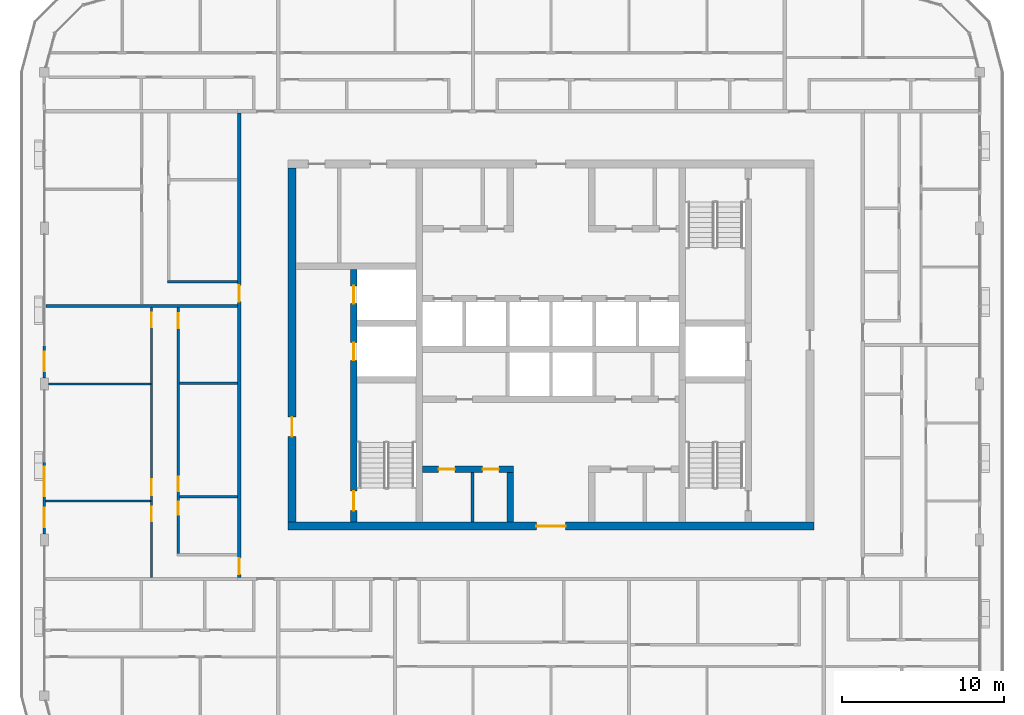
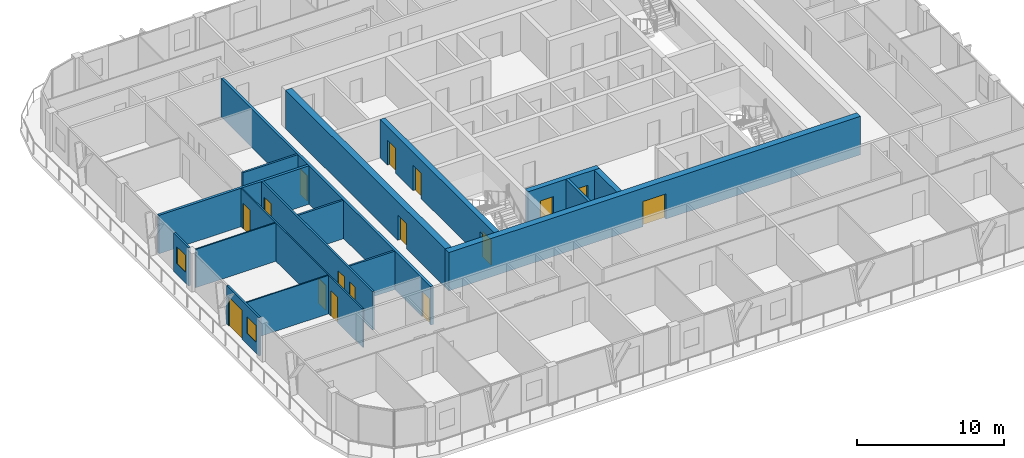
# One storey, part 10 of 22: 17 walls, 16 doors, 2 windows, 18 openings.
"""IFC4 building model written with IfcOpenShell, lengths in metres."""

import ifcopenshell
import ifcopenshell.guid

model = None  # the IFC model being written
_history = None  # IfcOwnerHistory: only IFC2X3 demands one
_inside = {}  # id of a spatial element -> (the spatial element, [elements in it])
_under = {}  # id of a project, library or spatial element -> (it, [spatial elements below it])
_declared = {}  # id of a project -> (the project, [libraries it declares])
_typed = {}  # id of a type object -> (the type object, [elements of that type])
_made_of = {}  # id of a material, layer set ... -> (it, [elements and type objects made of it])


def new_model(schema):
    """Start an empty IFC model of exactly this schema.

    Asked for "IFC4X3", IfcOpenShell would pick the latest addendum, in which some entities
    have other attributes; the version numbers below select the first issue.
    IFC2X3 requires an IfcOwnerHistory on every rooted entity: one is made here for all.
    """
    global model, _history
    if schema == "IFC4X3":
        model = ifcopenshell.file(schema_version=(4, 3, 0, 0))
    else:
        model = ifcopenshell.file(schema=schema)
    _inside.clear()
    _under.clear()
    _declared.clear()
    _typed.clear()
    _made_of.clear()
    _history = None
    if model.schema == "IFC2X3":
        org = make("IfcOrganization", Name="unknown")
        user = make(
            "IfcPersonAndOrganization",
            ThePerson=make("IfcPerson", FamilyName="unknown"),
            TheOrganization=org,
        )
        app = make(
            "IfcApplication",
            ApplicationDeveloper=org,
            Version="unknown",
            ApplicationFullName="unknown",
            ApplicationIdentifier="unknown",
        )
        _history = make(
            "IfcOwnerHistory",
            OwningUser=user,
            OwningApplication=app,
            ChangeAction="ADDED",
            CreationDate=0,
        )
    return model


def make(cls, **values):
    """One entity of the class cls with the attributes given. An attribute that is None is left unset."""
    return model.create_entity(
        cls, **{name: value for name, value in values.items() if value is not None}
    )


def rooted(cls, **values):
    """An entity with a GlobalId (a new one), such as an element, a storey or a relation."""
    return make(cls, GlobalId=ifcopenshell.guid.new(), OwnerHistory=_history, **values)


def si_unit(unit_type, name, prefix=None):
    """IfcSIUnit, for example si_unit("LENGTHUNIT", "METRE", prefix="MILLI")."""
    return make("IfcSIUnit", UnitType=unit_type, Prefix=prefix, Name=name)


def assignment(units):
    """IfcUnitAssignment: the units of a project."""
    return None if units is None else make("IfcUnitAssignment", Units=units)


def point(xyz):
    """IfcCartesianPoint."""
    return None if xyz is None else make("IfcCartesianPoint", Coordinates=xyz)


def direction(xyz):
    """IfcDirection."""
    return None if xyz is None else make("IfcDirection", DirectionRatios=xyz)


def frame(location, z_axis=None, x_axis=None):
    """IfcAxis2Placement3D, a coordinate frame: its origin and axes. An axis left out is left unset."""
    return make(
        "IfcAxis2Placement3D",
        Location=point(location),
        Axis=direction(z_axis),
        RefDirection=direction(x_axis),
    )


def frame_2d(location, x_axis=None):
    """IfcAxis2Placement2D, a coordinate frame in the plane: its origin and x axis."""
    return make(
        "IfcAxis2Placement2D", Location=point(location), RefDirection=direction(x_axis)
    )


def origin():
    """The frame at (0, 0, 0) with its axes left unset."""
    return frame((0.0, 0.0, 0.0))


def place(relative_to, where):
    """IfcLocalPlacement: puts the frame where relative to a parent placement (None: the world)."""
    return make(
        "IfcLocalPlacement", PlacementRelTo=relative_to, RelativePlacement=where
    )


def context(
    kind, dimensions, precision=None, world=None, true_north=None, identifier=None
):
    """IfcGeometricRepresentationContext, for example the 3D "Model" context."""
    return make(
        "IfcGeometricRepresentationContext",
        ContextIdentifier=identifier,
        ContextType=kind,
        CoordinateSpaceDimension=dimensions,
        Precision=precision,
        WorldCoordinateSystem=world,
        TrueNorth=true_north,
    )


def subcontext(parent, identifier, kind, view, scale=None):
    """IfcGeometricRepresentationSubContext, for example "Body" below "Model"."""
    return make(
        "IfcGeometricRepresentationSubContext",
        ContextIdentifier=identifier,
        ContextType=kind,
        ParentContext=parent,
        TargetScale=scale,
        TargetView=view,
    )


def project(units=None, contexts=None):
    """IfcProject with its units and contexts."""
    return rooted(
        "IfcProject",
        Name="project",
        RepresentationContexts=contexts,
        UnitsInContext=assignment(units),
    )


def spatial(cls, under=None, at=None, **own):
    """A site, building, storey or space (cls), placed at a placement, below another one or the project."""
    s = rooted(cls, ObjectPlacement=at, **own)
    if under is not None:
        _under.setdefault(under.id(), (under, []))[1].append(s)
    return s


def profile(cls, at=None, kind="AREA", **sizes):
    """A parametric profile (cls). Its sizes go by their IFC names, for example OverallWidth=200.0."""
    return make(cls, ProfileType=kind, Position=at, **sizes)


def rectangle(**sizes):
    """IfcRectangleProfileDef."""
    return profile("IfcRectangleProfileDef", **sizes)


def extrude(swept, where, along, depth):
    """IfcExtrudedAreaSolid: the profile swept, set in the frame where, extruded along a direction by depth."""
    return make(
        "IfcExtrudedAreaSolid",
        SweptArea=swept,
        Position=where,
        ExtrudedDirection=direction(along),
        Depth=depth,
    )


def shape(context_of_items, identifier, shape_type, items):
    """IfcShapeRepresentation: the items that make up one representation, for example the "Body"."""
    return make(
        "IfcShapeRepresentation",
        ContextOfItems=context_of_items,
        RepresentationIdentifier=identifier,
        RepresentationType=shape_type,
        Items=items,
    )


def material(Name=None, Category=None):
    """IfcMaterial."""
    return make("IfcMaterial", Name=Name, Category=Category)


def layer(
    of_material, thickness, ventilated=None, Name=None, Category=None, Priority=None
):
    """IfcMaterialLayer: one layer of a wall or slab, of a material (None: an air gap)."""
    return make(
        "IfcMaterialLayer",
        Material=of_material,
        LayerThickness=thickness,
        IsVentilated=ventilated,
        Name=Name,
        Category=Category,
        Priority=Priority,
    )


def layer_set(layers, Name=None):
    """IfcMaterialLayerSet."""
    return make("IfcMaterialLayerSet", MaterialLayers=layers, LayerSetName=Name)


def made_of(thing, what):
    """Note that an element or type object is made of a material, layer set ...; save() writes the relation."""
    if what is not None:
        _made_of.setdefault(what.id(), (what, []))[1].append(thing)
    return thing


def type_object(cls, material=None, **own):
    """A type object (cls), such as IfcWallType, which elements share."""
    return made_of(rooted(cls, **own), material)


def element(
    cls,
    number,
    at=None,
    inside=None,
    cuts=None,
    type_object=None,
    material=None,
    context=None,
    identifier="Body",
    shape_type=None,
    held_by="IfcProductDefinitionShape",
    body=None,
    shapes=None,
    **own,
):
    """One element of the class cls, such as IfcWall. Its Tag is "e" and its number.

    at: its placement. inside: the storey or other place that contains it. cuts: it is an
    opening in that element (IfcRelVoidsElement). A single representation is given by context,
    identifier, shape_type and body (its items); several are given by shapes. held_by: the class
    of the entity that holds the representations. save() writes the other relations.
    """
    e = rooted(cls, Tag="e%d" % number, ObjectPlacement=at, **own)
    if body is not None:
        shapes = [shape(context, identifier, shape_type, body)]
    if shapes is not None:
        e.Representation = make(held_by, Representations=shapes)
    if inside is not None:
        _inside.setdefault(inside.id(), (inside, []))[1].append(e)
    if cuts is not None:
        rooted(
            "IfcRelVoidsElement", RelatingBuildingElement=cuts, RelatedOpeningElement=e
        )
    if type_object is not None:
        _typed.setdefault(type_object.id(), (type_object, []))[1].append(e)
    return made_of(e, material)


def fill(opening, filler):
    """IfcRelFillsElement: the door or window that sits in an opening."""
    return rooted(
        "IfcRelFillsElement",
        RelatingOpeningElement=opening,
        RelatedBuildingElement=filler,
    )


def aggregate(whole, parts):
    """IfcRelAggregates: a whole, such as a stair, and the parts it consists of."""
    return rooted("IfcRelAggregates", RelatingObject=whole, RelatedObjects=parts)


def save(model, path):
    """Write the relations noted so far, then the file.

    IfcRelAggregates (storeys below a building ...), IfcRelContainedInSpatialStructure (elements
    in a storey), IfcRelDefinesByType, IfcRelAssociatesMaterial and IfcRelDeclares: one each for
    every whole, place, type object, material and project.
    """
    for whole, parts in _under.values():
        aggregate(whole, parts)
    for where, things in _inside.values():
        rooted(
            "IfcRelContainedInSpatialStructure",
            RelatedElements=things,
            RelatingStructure=where,
        )
    for kind, things in _typed.values():
        rooted("IfcRelDefinesByType", RelatedObjects=things, RelatingType=kind)
    for what, things in _made_of.values():
        rooted("IfcRelAssociatesMaterial", RelatedObjects=things, RelatingMaterial=what)
    for by, libraries in _declared.values():
        rooted("IfcRelDeclares", RelatingContext=by, RelatedDefinitions=libraries)
    model.write(path)


model = new_model("IFC4")

# Units and contexts
model_context = context("Model", 3, precision=1e-05, world=origin(), true_north=direction((0.0, 1.0)))
body_context = subcontext(model_context, "Body", "Model", "MODEL_VIEW")
ifc_project = project(units=[si_unit("LENGTHUNIT", "METRE"), si_unit("AREAUNIT", "SQUARE_METRE"), si_unit("VOLUMEUNIT", "CUBIC_METRE"), si_unit("PLANEANGLEUNIT", "RADIAN"), si_unit("MASSUNIT", "GRAM", prefix="KILO")], contexts=[model_context])

# Site, building, storey
site_placement = place(None, origin())
site = spatial("IfcSite", under=ifc_project, at=site_placement, CompositionType="ELEMENT")
building_placement = place(site_placement, origin())
building = spatial("IfcBuilding", under=site, at=building_placement, Name="Madar Terraces", CompositionType="ELEMENT")
storey_placement = place(building_placement, frame((0.0, 0.0, 282.60009765625)))
storey = spatial("IfcBuildingStorey", under=building, at=storey_placement, Name="L74", CompositionType="ELEMENT", Elevation=282.60009765625)

# Wall, openings, doors
ifc_material_1 = material(Name="Concrete C50/60", Category="concrete")
ifc_layer_1 = layer(ifc_material_1, 0.39990234375)
ifc_layer_set_1 = layer_set([ifc_layer_1], Name="Concrete C50/60 (CIW6 RC wall 400)")
wall_type_1 = type_object("IfcWallType", Name="CIW6 RC wall 400", PredefinedType="SHEAR", material=ifc_layer_set_1)
wall_1_placement = place(storey_placement, frame((19.050048828125, 15.5, 0.0), z_axis=(0.0, 0.0, 1.0), x_axis=(0.0, 1.0, 0.0)))
wall_1 = element("IfcWall", 1, at=wall_1_placement, inside=storey, type_object=wall_type_1, Name="CORE SHAFT WALL", PredefinedType="SHEAR", context=body_context, shape_type="SweptSolid", body=[
    extrude(rectangle(XDim=15.550048828125, YDim=0.39990234375, at=frame_2d((7.77490234375, 0.0))), origin(), (0.0, 0.0, 1.0), 3.199951171875),
])
opening_1_placement = place(wall_1_placement, frame((9.949951171875, 0.0, 0.0)))
opening_1 = element("IfcOpeningElement", 2, at=opening_1_placement, cuts=wall_1, Name="Opening LD", PredefinedType="OPENING", context=body_context, shape_type="SweptSolid", body=[
    extrude(rectangle(XDim=1.10009765625, YDim=2.10009765625, at=frame_2d((0.550048828125, 1.050048828125))), frame((0.0, 0.2099609375, 0.0), z_axis=(0.0, -1.0, 0.0), x_axis=(1.0, 0.0, 0.0)), (0.0, 0.0, 1.0), 0.419921875),
])
opening_2_placement = place(wall_1_placement, frame((13.449951171875, 0.0, 0.0)))
opening_2 = element("IfcOpeningElement", 3, at=opening_2_placement, cuts=wall_1, Name="Opening LD", PredefinedType="OPENING", context=body_context, shape_type="SweptSolid", body=[
    extrude(rectangle(XDim=1.10009765625, YDim=2.10009765625, at=frame_2d((0.550048828125, 1.050048828125))), frame((0.0, 0.2099609375, 0.0), z_axis=(0.0, -1.0, 0.0), x_axis=(1.0, 0.0, 0.0)), (0.0, 0.0, 1.0), 0.419921875),
])
opening_3_placement = place(wall_1_placement, frame((0.699951171875, 0.0, 0.0)))
opening_3 = element("IfcOpeningElement", 4, at=opening_3_placement, cuts=wall_1, Name="Opening SD1", PredefinedType="OPENING", context=body_context, shape_type="SweptSolid", body=[
    extrude(rectangle(XDim=1.199951171875, YDim=2.10009765625, at=frame_2d((0.60009765625, 1.050048828125))), frame((0.0, 0.2099609375, 0.0), z_axis=(0.0, -1.0, 0.0), x_axis=(1.0, 0.0, 0.0)), (0.0, 0.0, 1.0), 0.419921875),
])
ifc_material_2 = material(Name="Stainless steel panel", Category="steel")
door_type_1 = type_object("IfcDoorType", Name="Lift landing door 1100 x 2100", OperationType="DOUBLE_DOOR_SLIDING", PredefinedType="DOOR", material=ifc_material_2)
door_1_placement = place(opening_1_placement, origin())
door_1 = element("IfcDoor", 5, at=door_1_placement, inside=storey, type_object=door_type_1, Name="LIFT LANDING DOOR", OperationType="DOUBLE_DOOR_SLIDING", OverallHeight=2.10009765625, OverallWidth=1.10009765625, PredefinedType="DOOR", context=body_context, shape_type="SweptSolid", body=[
    extrude(rectangle(XDim=1.10009765625, YDim=2.10009765625, at=frame_2d((0.550048828125, 1.050048828125))), frame((0.0, 0.02490234375, 0.0), z_axis=(0.0, -1.0, 0.0), x_axis=(1.0, 0.0, 0.0)), (0.0, 0.0, 1.0), 0.050048828125),
])
fill(opening_1, door_1)
door_2_placement = place(opening_2_placement, origin())
door_2 = element("IfcDoor", 6, at=door_2_placement, inside=storey, type_object=door_type_1, Name="LIFT LANDING DOOR", OperationType="DOUBLE_DOOR_SLIDING", OverallHeight=2.10009765625, OverallWidth=1.10009765625, PredefinedType="DOOR", context=body_context, shape_type="SweptSolid", body=[
    extrude(rectangle(XDim=1.10009765625, YDim=2.10009765625, at=frame_2d((0.550048828125, 1.050048828125))), frame((0.0, 0.02490234375, 0.0), z_axis=(0.0, -1.0, 0.0), x_axis=(1.0, 0.0, 0.0)), (0.0, 0.0, 1.0), 0.050048828125),
])
fill(opening_2, door_2)
ifc_material_3 = material(Name="Steel door leaf", Category="steel")
door_type_2 = type_object("IfcDoorType", Name="Stair door 1200 x 2100", OperationType="NOTDEFINED", PredefinedType="DOOR", material=ifc_material_3)
door_3_placement = place(opening_3_placement, frame((1.199951171875, 0.0, 0.0), z_axis=(0.0, 0.0, 1.0), x_axis=(-1.0, 0.0, 0.0)))
door_3 = element("IfcDoor", 7, at=door_3_placement, inside=storey, type_object=door_type_2, Name="STAIR DOOR", OperationType="SINGLE_SWING_RIGHT", OverallHeight=2.10009765625, OverallWidth=1.199951171875, PredefinedType="DOOR", context=body_context, shape_type="SweptSolid", body=[
    extrude(rectangle(XDim=1.199951171875, YDim=2.10009765625, at=frame_2d((0.60009765625, 1.050048828125))), frame((0.0, 0.02490234375, 0.0), z_axis=(0.0, -1.0, 0.0), x_axis=(1.0, 0.0, 0.0)), (0.0, 0.0, 1.0), 0.050048828125),
])
fill(opening_3, door_3)

wall_2_placement = place(storey_placement, frame((23.300048828125, 18.75, 0.0), z_axis=(0.0, 0.0, 1.0), x_axis=(1.0, 0.0, 0.0)))
wall_2 = element("IfcWall", 8, at=wall_2_placement, inside=storey, type_object=wall_type_1, Name="CORE SHAFT WALL", PredefinedType="SHEAR", context=body_context, shape_type="SweptSolid", body=[
    extrude(rectangle(XDim=5.599853515625, YDim=0.39990234375, at=frame_2d((2.7998046875, 0.0))), origin(), (0.0, 0.0, 1.0), 3.199951171875),
])
opening_4_placement = place(wall_2_placement, frame((0.98388671875, 0.0, 0.0)))
opening_4 = element("IfcOpeningElement", 9, at=opening_4_placement, cuts=wall_2, Name="Opening KD2", PredefinedType="OPENING", context=body_context, shape_type="SweptSolid", body=[
    extrude(rectangle(XDim=1.0, YDim=2.10009765625, at=frame_2d((0.5, 1.050048828125))), frame((0.0, 0.2099609375, 0.0), z_axis=(0.0, -1.0, 0.0), x_axis=(1.0, 0.0, 0.0)), (0.0, 0.0, 1.0), 0.419921875),
])
opening_5_placement = place(wall_2_placement, frame((3.68408203125, 0.0, 0.0)))
opening_5 = element("IfcOpeningElement", 10, at=opening_5_placement, cuts=wall_2, Name="Opening KD2", PredefinedType="OPENING", context=body_context, shape_type="SweptSolid", body=[
    extrude(rectangle(XDim=1.0, YDim=2.10009765625, at=frame_2d((0.5, 1.050048828125))), frame((0.0, 0.2099609375, 0.0), z_axis=(0.0, -1.0, 0.0), x_axis=(1.0, 0.0, 0.0)), (0.0, 0.0, 1.0), 0.419921875),
])
ifc_material_4 = material(Name="Steel door leaf", Category="steel")
door_type_3 = type_object("IfcDoorType", Name="Service room door 1000 x 2100", OperationType="NOTDEFINED", PredefinedType="DOOR", material=ifc_material_4)
door_4_placement = place(opening_4_placement, origin())
door_4 = element("IfcDoor", 11, at=door_4_placement, inside=storey, type_object=door_type_3, Name="SERVICE ROOM DOOR", OperationType="SINGLE_SWING_RIGHT", OverallHeight=2.10009765625, OverallWidth=1.0, PredefinedType="DOOR", context=body_context, shape_type="SweptSolid", body=[
    extrude(rectangle(XDim=1.0, YDim=2.10009765625, at=frame_2d((0.5, 1.050048828125))), frame((0.0, 0.02490234375, 0.0), z_axis=(0.0, -1.0, 0.0), x_axis=(1.0, 0.0, 0.0)), (0.0, 0.0, 1.0), 0.050048828125),
])
fill(opening_4, door_4)
door_5_placement = place(opening_5_placement, origin())
door_5 = element("IfcDoor", 12, at=door_5_placement, inside=storey, type_object=door_type_3, Name="SERVICE ROOM DOOR", OperationType="SINGLE_SWING_LEFT", OverallHeight=2.10009765625, OverallWidth=1.0, PredefinedType="DOOR", context=body_context, shape_type="SweptSolid", body=[
    extrude(rectangle(XDim=1.0, YDim=2.10009765625, at=frame_2d((0.5, 1.050048828125))), frame((0.0, 0.02490234375, 0.0), z_axis=(0.0, -1.0, 0.0), x_axis=(1.0, 0.0, 0.0)), (0.0, 0.0, 1.0), 0.050048828125),
])
fill(opening_5, door_5)

# Wall
wall_3_placement = place(storey_placement, frame((28.699951171875, 15.5, 0.0), z_axis=(0.0, 0.0, 1.0), x_axis=(0.0, 1.0, 0.0)))
element("IfcWall", 13, at=wall_3_placement, inside=storey, type_object=wall_type_1, Name="CORE SHAFT WALL", PredefinedType="SHEAR", context=body_context, shape_type="SweptSolid", body=[
    extrude(rectangle(XDim=3.050048828125, YDim=0.39990234375, at=frame_2d((1.52490234375, 0.0))), origin(), (0.0, 0.0, 1.0), 3.199951171875),
])

# Wall, opening, door
ifc_material_5 = material(Name="Concrete C50/60", Category="concrete")
ifc_layer_2 = layer(ifc_material_5, 0.5)
ifc_layer_set_2 = layer_set([ifc_layer_2], Name="Concrete C50/60 (CRW6 RC wall 500)")
wall_type_2 = type_object("IfcWallType", Name="CRW6 RC wall 500", PredefinedType="SHEAR", material=ifc_layer_set_2)
wall_4_placement = place(storey_placement, frame((15.0, 15.25, 0.0), z_axis=(0.0, 0.0, 1.0), x_axis=(1.0, 0.0, 0.0)))
wall_4 = element("IfcWall", 14, at=wall_4_placement, inside=storey, type_object=wall_type_2, Name="CORE OUTER WALL", PredefinedType="SHEAR", context=body_context, shape_type="SweptSolid", body=[
    extrude(rectangle(XDim=32.39990234375, YDim=0.5, at=frame_2d((16.199951171875, 0.0))), origin(), (0.0, 0.0, 1.0), 3.199951171875),
])
opening_6_placement = place(wall_4_placement, frame((15.300048828125, 0.0, 0.0)))
opening_6 = element("IfcOpeningElement", 15, at=opening_6_placement, cuts=wall_4, Name="Opening KD1", PredefinedType="OPENING", context=body_context, shape_type="SweptSolid", body=[
    extrude(rectangle(XDim=1.800048828125, YDim=2.10009765625, at=frame_2d((0.89990234375, 1.050048828125))), frame((0.0, 0.260009765625, 0.0), z_axis=(0.0, -1.0, 0.0), x_axis=(1.0, 0.0, 0.0)), (0.0, 0.0, 1.0), 0.52001953125),
])
ifc_material_6 = material(Name="Steel door leaf", Category="steel")
door_type_4 = type_object("IfcDoorType", Name="Lobby door pair 1800 x 2100", OperationType="DOUBLE_DOOR_SINGLE_SWING", PredefinedType="DOOR", material=ifc_material_6)
door_6_placement = place(opening_6_placement, frame((1.800048828125, 0.0, 0.0), z_axis=(0.0, 0.0, 1.0), x_axis=(-1.0, 0.0, 0.0)))
door_6 = element("IfcDoor", 16, at=door_6_placement, inside=storey, type_object=door_type_4, Name="LIFT LOBBY DOOR", OperationType="DOUBLE_DOOR_SINGLE_SWING", OverallHeight=2.10009765625, OverallWidth=1.800048828125, PredefinedType="DOOR", context=body_context, shape_type="SweptSolid", body=[
    extrude(rectangle(XDim=1.800048828125, YDim=2.10009765625, at=frame_2d((0.89990234375, 1.050048828125))), frame((0.0, 0.02490234375, 0.0), z_axis=(0.0, -1.0, 0.0), x_axis=(1.0, 0.0, 0.0)), (0.0, 0.0, 1.0), 0.050048828125),
])
fill(opening_6, door_6)

wall_5_placement = place(storey_placement, frame((15.25, 15.5, 0.0), z_axis=(0.0, 0.0, 1.0), x_axis=(0.0, 1.0, 0.0)))
wall_5 = element("IfcWall", 17, at=wall_5_placement, inside=storey, type_object=wall_type_2, Name="CORE OUTER WALL", PredefinedType="SHEAR", context=body_context, shape_type="SweptSolid", body=[
    extrude(rectangle(XDim=21.800048828125, YDim=0.5, at=frame_2d((10.89990234375, 0.0))), origin(), (0.0, 0.0, 1.0), 3.199951171875),
])
opening_7_placement = place(wall_5_placement, frame((5.260009765625, 0.0, 0.0)))
opening_7 = element("IfcOpeningElement", 18, at=opening_7_placement, cuts=wall_5, Name="Opening SD1", PredefinedType="OPENING", context=body_context, shape_type="SweptSolid", body=[
    extrude(rectangle(XDim=1.199951171875, YDim=2.10009765625, at=frame_2d((0.60009765625, 1.050048828125))), frame((0.0, 0.260009765625, 0.0), z_axis=(0.0, -1.0, 0.0), x_axis=(1.0, 0.0, 0.0)), (0.0, 0.0, 1.0), 0.52001953125),
])
door_7_placement = place(opening_7_placement, frame((1.199951171875, 0.0, 0.0), z_axis=(0.0, 0.0, 1.0), x_axis=(-1.0, 0.0, 0.0)))
door_7 = element("IfcDoor", 19, at=door_7_placement, inside=storey, type_object=door_type_2, Name="STAIR DOOR", OperationType="SINGLE_SWING_LEFT", OverallHeight=2.10009765625, OverallWidth=1.199951171875, PredefinedType="DOOR", context=body_context, shape_type="SweptSolid", body=[
    extrude(rectangle(XDim=1.199951171875, YDim=2.10009765625, at=frame_2d((0.60009765625, 1.050048828125))), frame((0.0, 0.02490234375, 0.0), z_axis=(0.0, -1.0, 0.0), x_axis=(1.0, 0.0, 0.0)), (0.0, 0.0, 1.0), 0.050048828125),
])
fill(opening_7, door_7)

# Wall
ifc_material_7 = material(Name="Masonry blockwork", Category="masonry")
ifc_layer_3 = layer(ifc_material_7, 0.199951171875)
ifc_layer_set_3 = layer_set([ifc_layer_3], Name="Core partition 200 blockwork")
wall_type_3 = type_object("IfcWallType", Name="Core partition 200 blockwork", PredefinedType="PARTITIONING", material=ifc_layer_set_3)
wall_6_placement = place(storey_placement, frame((26.367919921875, 15.5, 0.0), z_axis=(0.0, 0.0, 1.0), x_axis=(0.0, 1.0, 0.0)))
element("IfcWall", 20, at=wall_6_placement, inside=storey, type_object=wall_type_3, Name="SERVICE ROOM PARTITION", PredefinedType="PARTITIONING", context=body_context, shape_type="SweptSolid", body=[
    extrude(rectangle(XDim=3.050048828125, YDim=0.199951171875, at=frame_2d((1.52490234375, 0.0))), origin(), (0.0, 0.0, 1.0), 3.199951171875),
])

# Wall, opening, window
ifc_material_8 = material(Name="Aluminium composite panel, black, over insulated backing", Category="aluminium")
ifc_layer_4 = layer(ifc_material_8, 0.14990234375)
ifc_layer_set_4 = layer_set([ifc_layer_4], Name="Facade bay panel 150")
wall_type_4 = type_object("IfcWallType", Name="Facade bay panel 150", PredefinedType="SOLIDWALL", material=ifc_layer_set_4)
wall_7_placement = place(storey_placement, frame((0.0, 26.39990234375, 0.0), z_axis=(0.0, 0.0, 1.0), x_axis=(0.0, -1.0, 0.0)))
wall_7 = element("IfcWall", 21, at=wall_7_placement, inside=storey, type_object=wall_type_4, Name="Facade bay panel", PredefinedType="SOLIDWALL", context=body_context, shape_type="SweptSolid", body=[
    extrude(rectangle(XDim=2.02490234375, YDim=0.14990234375, at=frame_2d((1.012451171875, 0.0))), origin(), (0.0, 0.0, 1.0), 3.199951171875),
])
opening_8_placement = place(wall_7_placement, frame((0.41259765625, 0.0, 0.89990234375)))
opening_8 = element("IfcOpeningElement", 22, at=opening_8_placement, cuts=wall_7, Name="Opening W1", PredefinedType="OPENING", context=body_context, shape_type="SweptSolid", body=[
    extrude(rectangle(XDim=1.199951171875, YDim=1.39990234375, at=frame_2d((0.60009765625, 0.699951171875))), frame((0.0, 0.0849609375, 0.0), z_axis=(0.0, -1.0, 0.0), x_axis=(1.0, 0.0, 0.0)), (0.0, 0.0, 1.0), 0.169921875),
])
ifc_material_9 = material(Name="Glass, clear, with black aluminium frame", Category="aluminium")
window_type = type_object("IfcWindowType", Name="Vent window 1200 x 1400", PartitioningType="SINGLE_PANEL", PredefinedType="WINDOW", material=ifc_material_9)
window_1_placement = place(opening_8_placement, origin())
window_1 = element("IfcWindow", 23, at=window_1_placement, inside=storey, type_object=window_type, Name="Operable vent window", OverallHeight=1.39990234375, OverallWidth=1.199951171875, PartitioningType="SINGLE_PANEL", PredefinedType="WINDOW", context=body_context, shape_type="SweptSolid", body=[
    extrude(rectangle(XDim=1.199951171875, YDim=1.39990234375, at=frame_2d((0.60009765625, 0.699951171875))), frame((0.0, 0.030029296875, 0.0), z_axis=(0.0, -1.0, 0.0), x_axis=(1.0, 0.0, 0.0)), (0.0, 0.0, 1.0), 0.06005859375),
])
fill(opening_8, window_1)

# Wall, openings, door, window
wall_8_placement = place(storey_placement, frame((0.0, 19.199951171875, 0.0), z_axis=(0.0, 0.0, 1.0), x_axis=(0.0, -1.0, 0.0)))
wall_8 = element("IfcWall", 24, at=wall_8_placement, inside=storey, type_object=wall_type_4, Name="Facade bay panel", PredefinedType="SOLIDWALL", context=body_context, shape_type="SweptSolid", body=[
    extrude(rectangle(XDim=4.425048828125, YDim=0.14990234375, at=frame_2d((2.21240234375, 0.0))), origin(), (0.0, 0.0, 1.0), 3.199951171875),
])
opening_9_placement = place(wall_8_placement, frame((0.300048828125, 0.0, 0.0)))
opening_9 = element("IfcOpeningElement", 25, at=opening_9_placement, cuts=wall_8, Name="Opening ED1", PredefinedType="OPENING", context=body_context, shape_type="SweptSolid", body=[
    extrude(rectangle(XDim=1.800048828125, YDim=2.39990234375, at=frame_2d((0.89990234375, 1.199951171875))), frame((0.0, 0.0849609375, 0.0), z_axis=(0.0, -1.0, 0.0), x_axis=(1.0, 0.0, 0.0)), (0.0, 0.0, 1.0), 0.169921875),
])
opening_10_placement = place(wall_8_placement, frame((2.8125, 0.0, 0.89990234375)))
opening_10 = element("IfcOpeningElement", 26, at=opening_10_placement, cuts=wall_8, Name="Opening W1", PredefinedType="OPENING", context=body_context, shape_type="SweptSolid", body=[
    extrude(rectangle(XDim=1.199951171875, YDim=1.39990234375, at=frame_2d((0.60009765625, 0.699951171875))), frame((0.0, 0.0849609375, 0.0), z_axis=(0.0, -1.0, 0.0), x_axis=(1.0, 0.0, 0.0)), (0.0, 0.0, 1.0), 0.169921875),
])
ifc_material_10 = material(Name="Glass, clear, with black aluminium frame", Category="aluminium")
door_type_5 = type_object("IfcDoorType", Name="Balcony and terrace sliding door 1800 x 2400", OperationType="SLIDING_TO_LEFT", PredefinedType="DOOR", material=ifc_material_10)
door_8_placement = place(opening_9_placement, origin())
door_8 = element("IfcDoor", 27, at=door_8_placement, inside=storey, type_object=door_type_5, Name="Balcony door", OperationType="SLIDING_TO_LEFT", OverallHeight=2.39990234375, OverallWidth=1.800048828125, PredefinedType="DOOR", context=body_context, shape_type="SweptSolid", body=[
    extrude(rectangle(XDim=1.800048828125, YDim=2.39990234375, at=frame_2d((0.89990234375, 1.199951171875))), frame((0.0, 0.02490234375, 0.0), z_axis=(0.0, -1.0, 0.0), x_axis=(1.0, 0.0, 0.0)), (0.0, 0.0, 1.0), 0.050048828125),
])
fill(opening_9, door_8)
window_2_placement = place(opening_10_placement, origin())
window_2 = element("IfcWindow", 28, at=window_2_placement, inside=storey, type_object=window_type, Name="Operable vent window", OverallHeight=1.39990234375, OverallWidth=1.199951171875, PartitioningType="SINGLE_PANEL", PredefinedType="WINDOW", context=body_context, shape_type="SweptSolid", body=[
    extrude(rectangle(XDim=1.199951171875, YDim=1.39990234375, at=frame_2d((0.60009765625, 0.699951171875))), frame((0.0, 0.030029296875, 0.0), z_axis=(0.0, -1.0, 0.0), x_axis=(1.0, 0.0, 0.0)), (0.0, 0.0, 1.0), 0.06005859375),
])
fill(opening_10, window_2)

# Walls
ifc_material_11 = material(Name="Gypsum board on steel studs", Category="steel")
ifc_layer_5 = layer(ifc_material_11, 0.10009765625)
ifc_layer_set_5 = layer_set([ifc_layer_5], Name="Flat partition 100")
wall_type_5 = type_object("IfcWallType", Name="Flat partition 100", PredefinedType="PARTITIONING", material=ifc_layer_set_5)
wall_9_placement = place(storey_placement, frame((6.550048828125, 16.800048828125, 0.0), z_axis=(0.0, 0.0, 1.0), x_axis=(-1.0, 0.0, 0.0)))
element("IfcWall", 29, at=wall_9_placement, inside=storey, type_object=wall_type_5, Name="Flat partition 100", PredefinedType="PARTITIONING", context=body_context, shape_type="SweptSolid", body=[
    extrude(rectangle(XDim=6.449951171875, YDim=0.10009765625, at=frame_2d((3.22509765625, 0.0))), origin(), (0.0, 0.0, 1.0), 3.199951171875),
])
wall_10_placement = place(storey_placement, frame((6.550048828125, 24.0, 0.0), z_axis=(0.0, 0.0, 1.0), x_axis=(-1.0, 0.0, 0.0)))
element("IfcWall", 30, at=wall_10_placement, inside=storey, type_object=wall_type_5, Name="Flat partition 100", PredefinedType="PARTITIONING", context=body_context, shape_type="SweptSolid", body=[
    extrude(rectangle(XDim=6.300048828125, YDim=0.10009765625, at=frame_2d((3.14990234375, 0.0))), origin(), (0.0, 0.0, 1.0), 3.199951171875),
])

# Wall, openings, doors
wall_11_placement = place(storey_placement, frame((6.60009765625, 12.10009765625, 0.0), z_axis=(0.0, 0.0, 1.0), x_axis=(0.0, 1.0, 0.0)))
wall_11 = element("IfcWall", 31, at=wall_11_placement, inside=storey, type_object=wall_type_5, Name="Flat partition 100", PredefinedType="PARTITIONING", context=body_context, shape_type="SweptSolid", body=[
    extrude(rectangle(XDim=16.599853515625, YDim=0.10009765625, at=frame_2d((8.2998046875, 0.0))), origin(), (0.0, 0.0, 1.0), 3.199951171875),
])
opening_11_placement = place(wall_11_placement, frame((3.449951171875, 0.0, 0.0)))
opening_11 = element("IfcOpeningElement", 32, at=opening_11_placement, cuts=wall_11, Name="Opening D2", PredefinedType="OPENING", context=body_context, shape_type="SweptSolid", body=[
    extrude(rectangle(XDim=0.89990234375, YDim=2.10009765625, at=frame_2d((0.449951171875, 1.050048828125))), frame((0.0, 0.06005859375, 0.0), z_axis=(0.0, -1.0, 0.0), x_axis=(1.0, 0.0, 0.0)), (0.0, 0.0, 1.0), 0.1201171875),
])
opening_12_placement = place(wall_11_placement, frame((5.050048828125, 0.0, 0.0)))
opening_12 = element("IfcOpeningElement", 33, at=opening_12_placement, cuts=wall_11, Name="Opening D3", PredefinedType="OPENING", context=body_context, shape_type="SweptSolid", body=[
    extrude(rectangle(XDim=1.0, YDim=2.10009765625, at=frame_2d((0.5, 1.050048828125))), frame((0.0, 0.06005859375, 0.0), z_axis=(0.0, -1.0, 0.0), x_axis=(1.0, 0.0, 0.0)), (0.0, 0.0, 1.0), 0.1201171875),
])
opening_13_placement = place(wall_11_placement, frame((15.39990234375, 0.0, 0.0)))
opening_13 = element("IfcOpeningElement", 34, at=opening_13_placement, cuts=wall_11, Name="Opening D2", PredefinedType="OPENING", context=body_context, shape_type="SweptSolid", body=[
    extrude(rectangle(XDim=0.89990234375, YDim=2.10009765625, at=frame_2d((0.449951171875, 1.050048828125))), frame((0.0, 0.06005859375, 0.0), z_axis=(0.0, -1.0, 0.0), x_axis=(1.0, 0.0, 0.0)), (0.0, 0.0, 1.0), 0.1201171875),
])
ifc_material_12 = material(Name="Timber door leaf", Category="wood")
door_type_6 = type_object("IfcDoorType", Name="Flat living room door 1000", OperationType="NOTDEFINED", PredefinedType="DOOR", material=ifc_material_12)
door_9_placement = place(opening_12_placement, origin())
door_9 = element("IfcDoor", 35, at=door_9_placement, inside=storey, type_object=door_type_6, Name="Flat living room door 1000", OperationType="SINGLE_SWING_LEFT", OverallHeight=2.10009765625, OverallWidth=1.0, PredefinedType="DOOR", context=body_context, shape_type="SweptSolid", body=[
    extrude(rectangle(XDim=1.0, YDim=2.10009765625, at=frame_2d((0.5, 1.050048828125))), frame((0.0, 0.02490234375, 0.0), z_axis=(0.0, -1.0, 0.0), x_axis=(1.0, 0.0, 0.0)), (0.0, 0.0, 1.0), 0.050048828125),
])
fill(opening_12, door_9)
ifc_material_13 = material(Name="Timber door leaf", Category="wood")
door_type_7 = type_object("IfcDoorType", Name="Flat room door 900", OperationType="NOTDEFINED", PredefinedType="DOOR", material=ifc_material_13)
door_10_placement = place(opening_11_placement, origin())
door_10 = element("IfcDoor", 36, at=door_10_placement, inside=storey, type_object=door_type_7, Name="Flat room door 900", OperationType="SINGLE_SWING_RIGHT", OverallHeight=2.10009765625, OverallWidth=0.89990234375, PredefinedType="DOOR", context=body_context, shape_type="SweptSolid", body=[
    extrude(rectangle(XDim=0.89990234375, YDim=2.10009765625, at=frame_2d((0.449951171875, 1.050048828125))), frame((0.0, 0.02490234375, 0.0), z_axis=(0.0, -1.0, 0.0), x_axis=(1.0, 0.0, 0.0)), (0.0, 0.0, 1.0), 0.050048828125),
])
fill(opening_11, door_10)
door_11_placement = place(opening_13_placement, origin())
door_11 = element("IfcDoor", 37, at=door_11_placement, inside=storey, type_object=door_type_7, Name="Flat room door 900", OperationType="SINGLE_SWING_RIGHT", OverallHeight=2.10009765625, OverallWidth=0.89990234375, PredefinedType="DOOR", context=body_context, shape_type="SweptSolid", body=[
    extrude(rectangle(XDim=0.89990234375, YDim=2.10009765625, at=frame_2d((0.449951171875, 1.050048828125))), frame((0.0, 0.02490234375, 0.0), z_axis=(0.0, -1.0, 0.0), x_axis=(1.0, 0.0, 0.0)), (0.0, 0.0, 1.0), 0.050048828125),
])
fill(opening_13, door_11)

ifc_material_14 = material(Name="Lightweight blockwork", Category="masonry")
ifc_layer_6 = layer(ifc_material_14, 0.199951171875)
ifc_layer_set_6 = layer_set([ifc_layer_6], Name="Flat party and entrance wall 200")
wall_type_6 = type_object("IfcWallType", Name="Flat party and entrance wall 200", PredefinedType="PARTITIONING", material=ifc_layer_set_6)
wall_12_placement = place(storey_placement, frame((12.0, 12.10009765625, 0.0), z_axis=(0.0, 0.0, 1.0), x_axis=(0.0, 1.0, 0.0)))
wall_12 = element("IfcWall", 38, at=wall_12_placement, inside=storey, type_object=wall_type_6, Name="Flat party and entrance wall 200", PredefinedType="PARTITIONING", context=body_context, shape_type="SweptSolid", body=[
    extrude(rectangle(XDim=28.599853515625, YDim=0.199951171875, at=frame_2d((14.2998046875, 0.0))), origin(), (0.0, 0.0, 1.0), 3.199951171875),
])
opening_14_placement = place(wall_12_placement, frame((16.97509765625, 0.0, 0.0)))
opening_14 = element("IfcOpeningElement", 39, at=opening_14_placement, cuts=wall_12, Name="Opening D1", PredefinedType="OPENING", context=body_context, shape_type="SweptSolid", body=[
    extrude(rectangle(XDim=1.0, YDim=2.10009765625, at=frame_2d((0.5, 1.050048828125))), frame((0.0, 0.10986328125, 0.0), z_axis=(0.0, -1.0, 0.0), x_axis=(1.0, 0.0, 0.0)), (0.0, 0.0, 1.0), 0.219970703125),
])
opening_15_placement = place(wall_12_placement, frame((0.175048828125, 0.0, 0.0)))
opening_15 = element("IfcOpeningElement", 40, at=opening_15_placement, cuts=wall_12, Name="Opening D1", PredefinedType="OPENING", context=body_context, shape_type="SweptSolid", body=[
    extrude(rectangle(XDim=1.0, YDim=2.10009765625, at=frame_2d((0.5, 1.050048828125))), frame((0.0, 0.10986328125, 0.0), z_axis=(0.0, -1.0, 0.0), x_axis=(1.0, 0.0, 0.0)), (0.0, 0.0, 1.0), 0.219970703125),
])
ifc_material_15 = material(Name="Timber fire door leaf", Category="wood")
door_type_8 = type_object("IfcDoorType", Name="Flat entrance door 1000 FD30S", OperationType="NOTDEFINED", PredefinedType="DOOR", material=ifc_material_15)
door_12_placement = place(opening_14_placement, origin())
door_12 = element("IfcDoor", 41, at=door_12_placement, inside=storey, type_object=door_type_8, Name="Flat entrance door 1000 FD30S", OperationType="SINGLE_SWING_LEFT", OverallHeight=2.10009765625, OverallWidth=1.0, PredefinedType="DOOR", context=body_context, shape_type="SweptSolid", body=[
    extrude(rectangle(XDim=1.0, YDim=2.10009765625, at=frame_2d((0.5, 1.050048828125))), frame((0.0, 0.02490234375, 0.0), z_axis=(0.0, -1.0, 0.0), x_axis=(1.0, 0.0, 0.0)), (0.0, 0.0, 1.0), 0.050048828125),
])
fill(opening_14, door_12)
door_13_placement = place(opening_15_placement, origin())
door_13 = element("IfcDoor", 42, at=door_13_placement, inside=storey, type_object=door_type_8, Name="Flat entrance door 1000 FD30S", OperationType="SINGLE_SWING_LEFT", OverallHeight=2.10009765625, OverallWidth=1.0, PredefinedType="DOOR", context=body_context, shape_type="SweptSolid", body=[
    extrude(rectangle(XDim=1.0, YDim=2.10009765625, at=frame_2d((0.5, 1.050048828125))), frame((0.0, 0.02490234375, 0.0), z_axis=(0.0, -1.0, 0.0), x_axis=(1.0, 0.0, 0.0)), (0.0, 0.0, 1.0), 0.050048828125),
])
fill(opening_15, door_13)

# Walls
wall_13_placement = place(storey_placement, frame((0.10009765625, 28.800048828125, 0.0), z_axis=(0.0, 0.0, 1.0), x_axis=(1.0, 0.0, 0.0)))
element("IfcWall", 43, at=wall_13_placement, inside=storey, type_object=wall_type_6, Name="Flat party and entrance wall 200", PredefinedType="PARTITIONING", context=body_context, shape_type="SweptSolid", body=[
    extrude(rectangle(XDim=11.7998046875, YDim=0.199951171875, at=frame_2d((5.89990234375, 0.0))), origin(), (0.0, 0.0, 1.0), 3.199951171875),
])
ifc_material_16 = material(Name="Lightweight blockwork", Category="masonry")
ifc_layer_7 = layer(ifc_material_16, 0.14990234375)
ifc_layer_set_7 = layer_set([ifc_layer_7], Name="Flat wet-room partition 150")
wall_type_7 = type_object("IfcWallType", Name="Flat wet-room partition 150", PredefinedType="PARTITIONING", material=ifc_layer_set_7)
wall_14_placement = place(storey_placement, frame((11.89990234375, 30.300048828125, 0.0), z_axis=(0.0, 0.0, 1.0), x_axis=(-1.0, 0.0, 0.0)))
element("IfcWall", 44, at=wall_14_placement, inside=storey, type_object=wall_type_7, Name="Flat wet-room partition 150", PredefinedType="PARTITIONING", context=body_context, shape_type="SweptSolid", body=[
    extrude(rectangle(XDim=4.324951171875, YDim=0.14990234375, at=frame_2d((2.16259765625, 0.0))), origin(), (0.0, 0.0, 1.0), 3.199951171875),
])
for number, where, z_axis, x_axis, name in (
    (45, (11.89990234375, 17.0654296875, 0.0), (0.0, 0.0, 1.0), (-1.0, 0.0, 0.0), "Flat wet-room partition 150"),
    (46, (11.89990234375, 24.046142578125, 0.0), (0.0, 0.0, 1.0), (-1.0, 0.0, 0.0), "Flat wet-room partition 150"),
):
    element("IfcWall", number, at=place(storey_placement, frame(where, z_axis=z_axis, x_axis=x_axis)), inside=storey, type_object=wall_type_7, Name=name, PredefinedType="PARTITIONING", context=body_context, shape_type="SweptSolid", body=[
        extrude(rectangle(XDim=3.574951171875, YDim=0.14990234375, at=frame_2d((1.78759765625, 0.0))), origin(), (0.0, 0.0, 1.0), 3.199951171875),
    ])

# Wall, openings, doors
wall_15_placement = place(storey_placement, frame((8.25, 28.699951171875, 0.0), z_axis=(0.0, 0.0, 1.0), x_axis=(0.0, -1.0, 0.0)))
wall_15 = element("IfcWall", 47, at=wall_15_placement, inside=storey, type_object=wall_type_7, Name="Flat wet-room partition 150", PredefinedType="PARTITIONING", context=body_context, shape_type="SweptSolid", body=[
    extrude(rectangle(XDim=15.125, YDim=0.14990234375, at=frame_2d((7.5625, 0.0))), origin(), (0.0, 0.0, 1.0), 3.199951171875),
])
opening_16_placement = place(wall_15_placement, frame((11.959716796875, 0.0, 0.0)))
opening_16 = element("IfcOpeningElement", 48, at=opening_16_placement, cuts=wall_15, Name="Opening D4", PredefinedType="OPENING", context=body_context, shape_type="SweptSolid", body=[
    extrude(rectangle(XDim=0.800048828125, YDim=2.10009765625, at=frame_2d((0.39990234375, 1.050048828125))), frame((0.0, 0.0849609375, 0.0), z_axis=(0.0, -1.0, 0.0), x_axis=(1.0, 0.0, 0.0)), (0.0, 0.0, 1.0), 0.169921875),
])
opening_17_placement = place(wall_15_placement, frame((10.40966796875, 0.0, 0.0)))
opening_17 = element("IfcOpeningElement", 49, at=opening_17_placement, cuts=wall_15, Name="Opening D2", PredefinedType="OPENING", context=body_context, shape_type="SweptSolid", body=[
    extrude(rectangle(XDim=0.89990234375, YDim=2.10009765625, at=frame_2d((0.449951171875, 1.050048828125))), frame((0.0, 0.0849609375, 0.0), z_axis=(0.0, -1.0, 0.0), x_axis=(1.0, 0.0, 0.0)), (0.0, 0.0, 1.0), 0.169921875),
])
opening_18_placement = place(wall_15_placement, frame((0.35009765625, 0.0, 0.0)))
opening_18 = element("IfcOpeningElement", 50, at=opening_18_placement, cuts=wall_15, Name="Opening D5", PredefinedType="OPENING", context=body_context, shape_type="SweptSolid", body=[
    extrude(rectangle(XDim=0.89990234375, YDim=2.10009765625, at=frame_2d((0.449951171875, 1.050048828125))), frame((0.0, 0.0849609375, 0.0), z_axis=(0.0, -1.0, 0.0), x_axis=(1.0, 0.0, 0.0)), (0.0, 0.0, 1.0), 0.169921875),
])
ifc_material_17 = material(Name="Timber door leaf", Category="wood")
door_type_9 = type_object("IfcDoorType", Name="Flat accessible bathroom door 900", OperationType="NOTDEFINED", PredefinedType="DOOR", material=ifc_material_17)
door_14_placement = place(opening_18_placement, origin())
door_14 = element("IfcDoor", 51, at=door_14_placement, inside=storey, type_object=door_type_9, Name="Flat accessible bathroom door 900", OperationType="SINGLE_SWING_LEFT", OverallHeight=2.10009765625, OverallWidth=0.89990234375, PredefinedType="DOOR", context=body_context, shape_type="SweptSolid", body=[
    extrude(rectangle(XDim=0.89990234375, YDim=2.10009765625, at=frame_2d((0.449951171875, 1.050048828125))), frame((0.0, 0.02490234375, 0.0), z_axis=(0.0, -1.0, 0.0), x_axis=(1.0, 0.0, 0.0)), (0.0, 0.0, 1.0), 0.050048828125),
])
fill(opening_18, door_14)
ifc_material_18 = material(Name="Timber door leaf", Category="wood")
door_type_10 = type_object("IfcDoorType", Name="Flat bathroom door 800", OperationType="NOTDEFINED", PredefinedType="DOOR", material=ifc_material_18)
door_15_placement = place(opening_16_placement, origin())
door_15 = element("IfcDoor", 52, at=door_15_placement, inside=storey, type_object=door_type_10, Name="Flat bathroom door 800", OperationType="SINGLE_SWING_LEFT", OverallHeight=2.10009765625, OverallWidth=0.800048828125, PredefinedType="DOOR", context=body_context, shape_type="SweptSolid", body=[
    extrude(rectangle(XDim=0.800048828125, YDim=2.10009765625, at=frame_2d((0.39990234375, 1.050048828125))), frame((0.0, 0.02490234375, 0.0), z_axis=(0.0, -1.0, 0.0), x_axis=(1.0, 0.0, 0.0)), (0.0, 0.0, 1.0), 0.050048828125),
])
fill(opening_16, door_15)
door_16_placement = place(opening_17_placement, origin())
door_16 = element("IfcDoor", 53, at=door_16_placement, inside=storey, type_object=door_type_7, Name="Flat room door 900", OperationType="SINGLE_SWING_RIGHT", OverallHeight=2.10009765625, OverallWidth=0.89990234375, PredefinedType="DOOR", context=body_context, shape_type="SweptSolid", body=[
    extrude(rectangle(XDim=0.89990234375, YDim=2.10009765625, at=frame_2d((0.449951171875, 1.050048828125))), frame((0.0, 0.02490234375, 0.0), z_axis=(0.0, -1.0, 0.0), x_axis=(1.0, 0.0, 0.0)), (0.0, 0.0, 1.0), 0.050048828125),
])
fill(opening_17, door_16)

save(model, "model.ifc")
